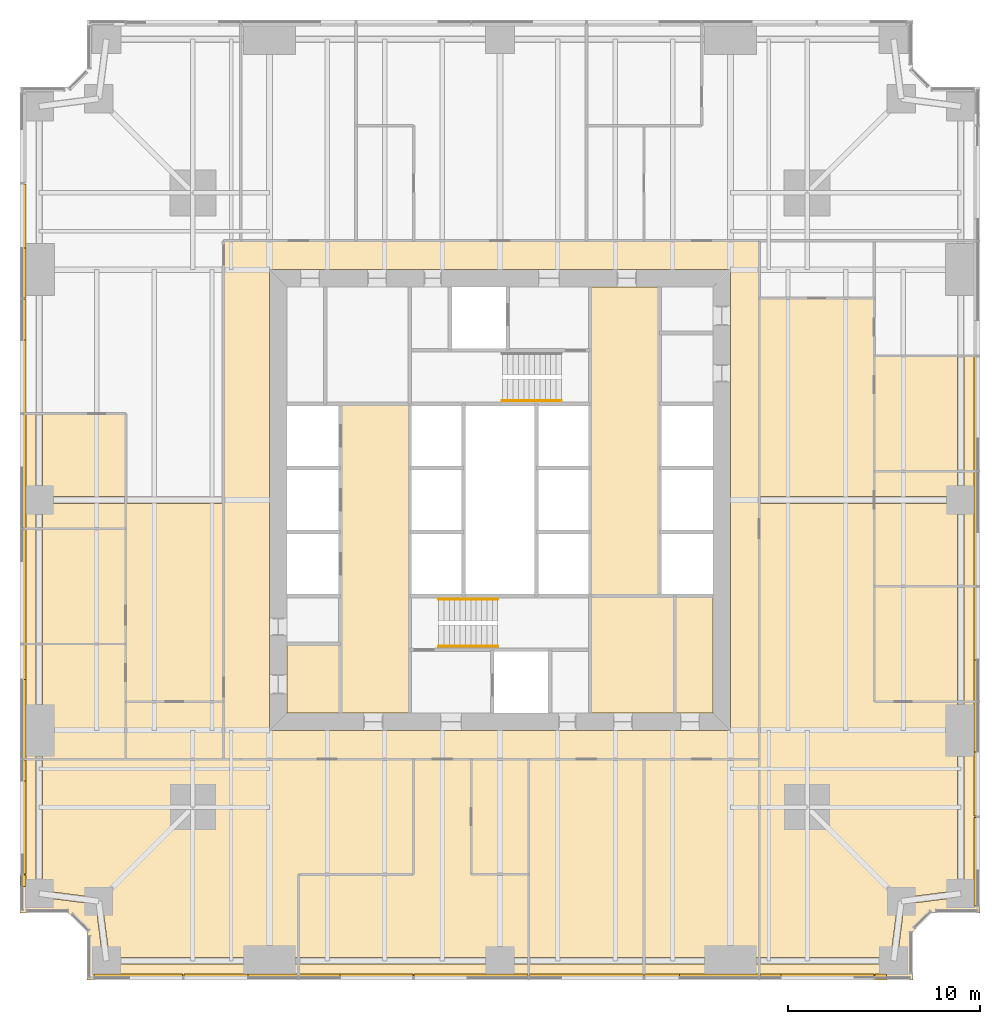
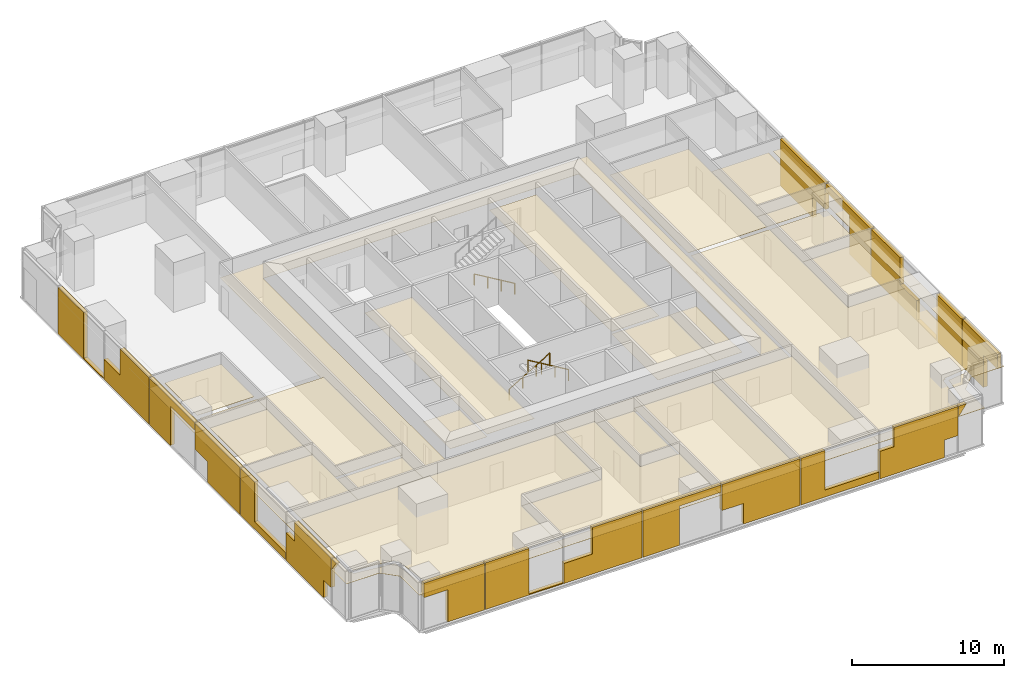
# One storey, part 13 of 14: 54 coverings, 3 railings.
"""IFC4 building model written with IfcOpenShell, lengths in metres."""

from ifc_helpers import new_model, si_unit, direction, frame, origin, origin_2d, place, context, subcontext, project, spatial, polyline, circle, outline, extrude, material, layer, layer_set, type_object, element, save


model = new_model("IFC4")

# Units and contexts
model_context = context("Model", 3, precision=1e-05, world=origin(), true_north=direction((0.0, 1.0)))
body_context = subcontext(model_context, "Body", "Model", "MODEL_VIEW")
ifc_project = project(units=[si_unit("LENGTHUNIT", "METRE"), si_unit("AREAUNIT", "SQUARE_METRE"), si_unit("VOLUMEUNIT", "CUBIC_METRE"), si_unit("PLANEANGLEUNIT", "RADIAN"), si_unit("MASSUNIT", "GRAM", prefix="KILO")], contexts=[model_context])

# Site, building, storey
site_placement = place(None, origin())
site = spatial("IfcSite", under=ifc_project, at=site_placement, CompositionType="ELEMENT")
building_placement = place(site_placement, origin())
building = spatial("IfcBuilding", under=site, at=building_placement, Name="Fenwick Lantern Interchange", CompositionType="ELEMENT")
storey_placement = place(building_placement, frame((0.0, 0.0, 35.0)))
storey = spatial("IfcBuildingStorey", under=building, at=storey_placement, Name="L07", CompositionType="ELEMENT", Elevation=35.0)

# Coverings
ifc_material_1 = material(Name="Mineral fibre acoustic tile on suspended grid")
ifc_layer_1 = layer(ifc_material_1, 0.02001953125)
ifc_layer_set_1 = layer_set([ifc_layer_1], Name="ACOUSTIC TILE CEILING 20")
covering_type_1 = type_object("IfcCoveringType", Name="ACOUSTIC TILE CEILING 20", PredefinedType="CEILING", material=ifc_layer_set_1)
covering_1_placement = place(storey_placement, frame((0.0, 0.0, 2.89990234375)))
element("IfcCovering", 1, at=covering_1_placement, inside=storey, type_object=covering_type_1, Name="Office suite ceiling", PredefinedType="CEILING", context=body_context, shape_type="SweptSolid", body=[
    extrude(outline(polyline([(20.5, 11.5), (1.17236328125, 11.5), (1.17236328125, 4.651611328125), (4.1220703125, 4.27099609375), (4.10009765625, 4.10009765625), (4.27099609375, 4.1220703125), (4.651611328125, 1.17236328125), (13.0, 1.17236328125), (14.5, 1.17236328125), (14.5, 5.5), (20.5, 5.5), (20.5, 11.5)])), origin(), (0.0, 0.0, 1.0), 0.02001953125),
])
covering_2_placement = place(storey_placement, frame((0.0, 0.0, 2.89990234375)))
element("IfcCovering", 2, at=covering_2_placement, inside=storey, type_object=covering_type_1, Name="Office suite ceiling", PredefinedType="CEILING", context=body_context, shape_type="SweptSolid", body=[
    extrude(outline(polyline([(2.5, 3.5), (3.5, 2.5), (3.5, 0.0), (14.5, 0.0), (14.5, 0.82763671875), (13.0, 0.82763671875), (4.5, 0.82763671875), (4.5, 1.0), (4.3291015625, 0.97802734375), (3.946044921875, 3.946044921875), (0.97802734375, 4.3291015625), (1.0, 4.5), (0.82763671875, 4.5), (0.82763671875, 11.5), (0.0, 11.5), (0.0, 3.5), (2.5, 3.5)])), origin(), (0.0, 0.0, 1.0), 0.02001953125),
])
covering_3_placement = place(storey_placement, frame((0.0, 0.0, 2.89990234375)))
element("IfcCovering", 3, at=covering_3_placement, inside=storey, type_object=covering_type_1, Name="Office suite ceiling", PredefinedType="CEILING", context=body_context, shape_type="SweptSolid", body=[
    extrude(outline(polyline([(14.5, 5.5), (14.5, 1.17236328125), (25.0, 1.17236328125), (26.5, 1.17236328125), (26.5, 5.5), (23.5, 5.5), (23.5, 11.5), (20.5, 11.5), (20.5, 5.5), (14.5, 5.5)])), origin(), (0.0, 0.0, 1.0), 0.02001953125),
])
covering_4_placement = place(storey_placement, frame((0.0, 0.0, 2.89990234375)))
element("IfcCovering", 4, at=covering_4_placement, inside=storey, type_object=covering_type_1, Name="Office suite ceiling", PredefinedType="CEILING", context=body_context, shape_type="SweptSolid", body=[
    extrude(outline(polyline([(14.5, 0.82763671875), (14.5, 0.0), (26.5, 0.0), (26.5, 0.82763671875), (25.0, 0.82763671875), (14.5, 0.82763671875)])), origin(), (0.0, 0.0, 1.0), 0.02001953125),
])
covering_5_placement = place(storey_placement, frame((0.0, 0.0, 2.699951171875)))
element("IfcCovering", 5, at=covering_5_placement, inside=storey, type_object=covering_type_1, Name="Quiet room ceiling", PredefinedType="CEILING", context=body_context, shape_type="SweptSolid", body=[
    extrude(outline(polyline([(23.5, 5.5), (26.5, 5.5), (26.5, 11.5), (23.5, 11.5), (23.5, 5.5)])), origin(), (0.0, 0.0, 1.0), 0.02001953125),
])
covering_6_placement = place(storey_placement, frame((0.0, 0.0, 2.89990234375)))
element("IfcCovering", 6, at=covering_6_placement, inside=storey, type_object=covering_type_1, Name="Office suite ceiling", PredefinedType="CEILING", context=body_context, shape_type="SweptSolid", body=[
    extrude(outline(polyline([(26.5, 11.5), (26.5, 1.17236328125), (32.5, 1.17236328125), (32.5, 11.5), (26.5, 11.5)])), origin(), (0.0, 0.0, 1.0), 0.02001953125),
])
covering_7_placement = place(storey_placement, frame((0.0, 0.0, 2.89990234375)))
element("IfcCovering", 7, at=covering_7_placement, inside=storey, type_object=covering_type_1, Name="Office suite ceiling", PredefinedType="CEILING", context=body_context, shape_type="SweptSolid", body=[
    extrude(outline(polyline([(26.5, 0.0), (32.5, 0.0), (32.5, 0.82763671875), (26.5, 0.82763671875), (26.5, 0.0)])), origin(), (0.0, 0.0, 1.0), 0.02001953125),
])
covering_8_placement = place(storey_placement, frame((0.0, 0.0, 2.89990234375)))
element("IfcCovering", 8, at=covering_8_placement, inside=storey, type_object=covering_type_1, Name="Office suite ceiling", PredefinedType="CEILING", context=body_context, shape_type="SweptSolid", body=[
    extrude(outline(polyline([(32.5, 11.5), (32.5, 1.17236328125), (37.0, 1.17236328125), (38.5, 1.17236328125), (38.5, 11.5), (32.5, 11.5)])), origin(), (0.0, 0.0, 1.0), 0.02001953125),
])
covering_9_placement = place(storey_placement, frame((0.0, 0.0, 2.89990234375)))
element("IfcCovering", 9, at=covering_9_placement, inside=storey, type_object=covering_type_1, Name="Office suite ceiling", PredefinedType="CEILING", context=body_context, shape_type="SweptSolid", body=[
    extrude(outline(polyline([(32.5, 0.0), (38.5, 0.0), (38.5, 0.82763671875), (37.0, 0.82763671875), (32.5, 0.82763671875), (32.5, 0.0)])), origin(), (0.0, 0.0, 1.0), 0.02001953125),
])
covering_10_placement = place(storey_placement, frame((0.0, 0.0, 2.89990234375)))
element("IfcCovering", 10, at=covering_10_placement, inside=storey, type_object=covering_type_1, Name="Office suite ceiling", PredefinedType="CEILING", context=body_context, shape_type="SweptSolid", body=[
    extrude(outline(polyline([(38.5, 24.824951171875), (38.5, 1.17236328125), (45.348388671875, 1.17236328125), (45.72900390625, 4.1220703125), (45.89990234375, 4.10009765625), (45.8779296875, 4.27099609375), (48.82763671875, 4.651611328125), (48.82763671875, 13.0), (48.82763671875, 14.5), (44.5, 14.5), (44.5, 24.824951171875), (38.5, 24.824951171875)])), origin(), (0.0, 0.0, 1.0), 0.02001953125),
])
covering_11_placement = place(storey_placement, frame((0.0, 0.0, 2.89990234375)))
element("IfcCovering", 11, at=covering_11_placement, inside=storey, type_object=covering_type_1, Name="Office suite ceiling", PredefinedType="CEILING", context=body_context, shape_type="SweptSolid", body=[
    extrude(outline(polyline([(38.5, 35.5), (38.5, 25.175048828125), (44.5, 25.175048828125), (44.5, 35.5), (38.5, 35.5)])), origin(), (0.0, 0.0, 1.0), 0.02001953125),
])
covering_12_placement = place(storey_placement, frame((0.0, 0.0, 2.89990234375)))
element("IfcCovering", 12, at=covering_12_placement, inside=storey, type_object=covering_type_1, Name="Office suite ceiling", PredefinedType="CEILING", context=body_context, shape_type="SweptSolid", body=[
    extrude(outline(polyline([(38.5, 0.0), (46.5, 0.0), (46.5, 2.5), (47.5, 3.5), (50.0, 3.5), (50.0, 14.5), (49.17236328125, 14.5), (49.17236328125, 13.0), (49.17236328125, 4.5), (49.0, 4.5), (49.02197265625, 4.3291015625), (46.053955078125, 3.946044921875), (45.6708984375, 0.97802734375), (45.5, 1.0), (45.5, 0.82763671875), (38.5, 0.82763671875), (38.5, 0.0)])), origin(), (0.0, 0.0, 1.0), 0.02001953125),
])
covering_13_placement = place(storey_placement, frame((0.0, 0.0, 2.89990234375)))
element("IfcCovering", 13, at=covering_13_placement, inside=storey, type_object=covering_type_1, Name="Office ceiling", PredefinedType="CEILING", context=body_context, shape_type="SweptSolid", body=[
    extrude(outline(polyline([(44.5, 14.5), (48.82763671875, 14.5), (48.82763671875, 20.5), (44.5, 20.5), (44.5, 14.5)])), origin(), (0.0, 0.0, 1.0), 0.02001953125),
])
covering_14_placement = place(storey_placement, frame((0.0, 0.0, 2.89990234375)))
element("IfcCovering", 14, at=covering_14_placement, inside=storey, type_object=covering_type_1, Name="Office ceiling", PredefinedType="CEILING", context=body_context, shape_type="SweptSolid", body=[
    extrude(outline(polyline([(50.0, 20.5), (49.17236328125, 20.5), (49.17236328125, 14.5), (50.0, 14.5), (50.0, 20.5)])), origin(), (0.0, 0.0, 1.0), 0.02001953125),
])
covering_15_placement = place(storey_placement, frame((0.0, 0.0, 2.89990234375)))
element("IfcCovering", 15, at=covering_15_placement, inside=storey, type_object=covering_type_1, Name="Office ceiling", PredefinedType="CEILING", context=body_context, shape_type="SweptSolid", body=[
    extrude(outline(polyline([(44.5, 20.5), (48.82763671875, 20.5), (48.82763671875, 24.824951171875), (44.5, 24.824951171875), (44.5, 20.5)])), origin(), (0.0, 0.0, 1.0), 0.02001953125),
])
covering_16_placement = place(storey_placement, frame((0.0, 0.0, 2.89990234375)))
element("IfcCovering", 16, at=covering_16_placement, inside=storey, type_object=covering_type_1, Name="Office ceiling", PredefinedType="CEILING", context=body_context, shape_type="SweptSolid", body=[
    extrude(outline(polyline([(44.5, 26.5), (44.5, 25.175048828125), (48.82763671875, 25.175048828125), (48.82763671875, 26.5), (44.5, 26.5)])), origin(), (0.0, 0.0, 1.0), 0.02001953125),
])
covering_17_placement = place(storey_placement, frame((0.0, 0.0, 2.89990234375)))
element("IfcCovering", 17, at=covering_17_placement, inside=storey, type_object=covering_type_1, Name="Office ceiling", PredefinedType="CEILING", context=body_context, shape_type="SweptSolid", body=[
    extrude(outline(polyline([(50.0, 26.5), (49.17236328125, 26.5), (49.17236328125, 25.0), (49.17236328125, 20.5), (50.0, 20.5), (50.0, 26.5)])), origin(), (0.0, 0.0, 1.0), 0.02001953125),
])
covering_18_placement = place(storey_placement, frame((0.0, 0.0, 2.89990234375)))
element("IfcCovering", 18, at=covering_18_placement, inside=storey, type_object=covering_type_1, Name="Office ceiling", PredefinedType="CEILING", context=body_context, shape_type="SweptSolid", body=[
    extrude(outline(polyline([(44.5, 26.5), (48.82763671875, 26.5), (48.82763671875, 32.5), (44.5, 32.5), (44.5, 26.5)])), origin(), (0.0, 0.0, 1.0), 0.02001953125),
])
covering_19_placement = place(storey_placement, frame((0.0, 0.0, 2.89990234375)))
element("IfcCovering", 19, at=covering_19_placement, inside=storey, type_object=covering_type_1, Name="Office ceiling", PredefinedType="CEILING", context=body_context, shape_type="SweptSolid", body=[
    extrude(outline(polyline([(50.0, 32.5), (49.17236328125, 32.5), (49.17236328125, 26.5), (50.0, 26.5), (50.0, 32.5)])), origin(), (0.0, 0.0, 1.0), 0.02001953125),
])
covering_20_placement = place(storey_placement, frame((0.0, 0.0, 2.89990234375)))
element("IfcCovering", 20, at=covering_20_placement, inside=storey, type_object=covering_type_1, Name="Office suite ceiling", PredefinedType="CEILING", context=body_context, shape_type="SweptSolid", body=[
    extrude(outline(polyline([(10.60009765625, 14.5), (10.60009765625, 24.824951171875), (5.5, 24.824951171875), (5.5, 14.5), (10.60009765625, 14.5)])), origin(), (0.0, 0.0, 1.0), 0.02001953125),
])
covering_21_placement = place(storey_placement, frame((0.0, 0.0, 2.89990234375)))
element("IfcCovering", 21, at=covering_21_placement, inside=storey, type_object=covering_type_1, Name="Office ceiling", PredefinedType="CEILING", context=body_context, shape_type="SweptSolid", body=[
    extrude(outline(polyline([(5.5, 29.5), (1.17236328125, 29.5), (1.17236328125, 25.175048828125), (5.5, 25.175048828125), (5.5, 29.5)])), origin(), (0.0, 0.0, 1.0), 0.02001953125),
])
covering_22_placement = place(storey_placement, frame((0.0, 0.0, 2.89990234375)))
element("IfcCovering", 22, at=covering_22_placement, inside=storey, type_object=covering_type_1, Name="Office ceiling", PredefinedType="CEILING", context=body_context, shape_type="SweptSolid", body=[
    extrude(outline(polyline([(5.5, 23.5), (5.5, 24.824951171875), (1.17236328125, 24.824951171875), (1.17236328125, 23.5), (5.5, 23.5)])), origin(), (0.0, 0.0, 1.0), 0.02001953125),
])
covering_23_placement = place(storey_placement, frame((0.0, 0.0, 2.89990234375)))
element("IfcCovering", 23, at=covering_23_placement, inside=storey, type_object=covering_type_1, Name="Office ceiling", PredefinedType="CEILING", context=body_context, shape_type="SweptSolid", body=[
    extrude(outline(polyline([(0.0, 23.5), (0.82763671875, 23.5), (0.82763671875, 25.0), (0.82763671875, 29.5), (0.0, 29.5), (0.0, 23.5)])), origin(), (0.0, 0.0, 1.0), 0.02001953125),
])
covering_24_placement = place(storey_placement, frame((0.0, 0.0, 2.89990234375)))
element("IfcCovering", 24, at=covering_24_placement, inside=storey, type_object=covering_type_1, Name="Meeting room ceiling", PredefinedType="CEILING", context=body_context, shape_type="SweptSolid", body=[
    extrude(outline(polyline([(5.5, 23.5), (1.17236328125, 23.5), (1.17236328125, 17.5), (5.5, 17.5), (5.5, 23.5)])), origin(), (0.0, 0.0, 1.0), 0.02001953125),
])
covering_25_placement = place(storey_placement, frame((0.0, 0.0, 2.89990234375)))
element("IfcCovering", 25, at=covering_25_placement, inside=storey, type_object=covering_type_1, Name="Meeting room ceiling", PredefinedType="CEILING", context=body_context, shape_type="SweptSolid", body=[
    extrude(outline(polyline([(0.0, 17.5), (0.82763671875, 17.5), (0.82763671875, 23.5), (0.0, 23.5), (0.0, 17.5)])), origin(), (0.0, 0.0, 1.0), 0.02001953125),
])
covering_26_placement = place(storey_placement, frame((0.0, 0.0, 2.89990234375)))
element("IfcCovering", 26, at=covering_26_placement, inside=storey, type_object=covering_type_1, Name="Office ceiling", PredefinedType="CEILING", context=body_context, shape_type="SweptSolid", body=[
    extrude(outline(polyline([(5.5, 17.5), (1.17236328125, 17.5), (1.17236328125, 13.0), (1.17236328125, 11.5), (5.5, 11.5), (5.5, 17.5)])), origin(), (0.0, 0.0, 1.0), 0.02001953125),
])
covering_27_placement = place(storey_placement, frame((0.0, 0.0, 2.89990234375)))
element("IfcCovering", 27, at=covering_27_placement, inside=storey, type_object=covering_type_1, Name="Office ceiling", PredefinedType="CEILING", context=body_context, shape_type="SweptSolid", body=[
    extrude(outline(polyline([(0.0, 11.5), (0.82763671875, 11.5), (0.82763671875, 13.0), (0.82763671875, 17.5), (0.0, 17.5), (0.0, 11.5)])), origin(), (0.0, 0.0, 1.0), 0.02001953125),
])
ifc_material_2 = material(Name="Granite cladding, warm grey flamed finish, on aluminium carrier frame", Category="masonry")
ifc_layer_2 = layer(ifc_material_2, 0.300048828125)
ifc_layer_set_2 = layer_set([ifc_layer_2], Name="BRACE CASING PANEL 300")
covering_type_2 = type_object("IfcCoveringType", Name="BRACE CASING PANEL 300", PredefinedType="CLADDING", material=ifc_layer_set_2)
covering_28_placement = place(storey_placement, frame((3.60009765625, 0.10009765625, 0.0), z_axis=(0.0, 0.0, 1.0), x_axis=(1.0, 0.0, 0.0)))
element("IfcCovering", 28, at=covering_28_placement, inside=storey, type_object=covering_type_2, Name="Brace casing 01 bay 00a", PredefinedType="CLADDING", context=body_context, shape_type="SweptSolid", body=[
    extrude(outline(polyline([(2.094970703125, 0.0), (4.867431640625, 0.0), (4.867431640625, 3.75), (0.264892578125, 3.75), (0.264892578125, 2.5869140625), (2.094970703125, 2.5869140625), (2.094970703125, 0.0)])), frame((0.0, 0.2001953125, 0.0), z_axis=(0.0, -1.0, 0.0), x_axis=(1.0, 0.0, 0.0)), (0.0, 0.0, 1.0), 0.300048828125),
])
covering_29_placement = place(storey_placement, frame((3.60009765625, 0.10009765625, 0.0), z_axis=(0.0, 0.0, 1.0), x_axis=(1.0, 0.0, 0.0)))
element("IfcCovering", 29, at=covering_29_placement, inside=storey, type_object=covering_type_2, Name="Brace casing 01 bay 01a", PredefinedType="CLADDING", context=body_context, shape_type="SweptSolid", body=[
    extrude(outline(polyline([(4.9326171875, 0.0), (10.867431640625, 0.0), (10.867431640625, 0.08056640625), (8.276611328125, 0.08056640625), (8.276611328125, 3.75), (4.9326171875, 3.75), (4.9326171875, 0.0)])), frame((0.0, 0.2001953125, 0.0), z_axis=(0.0, -1.0, 0.0), x_axis=(1.0, 0.0, 0.0)), (0.0, 0.0, 1.0), 0.300048828125),
])
covering_30_placement = place(storey_placement, frame((3.60009765625, 0.10009765625, 0.0), z_axis=(0.0, 0.0, 1.0), x_axis=(1.0, 0.0, 0.0)))
element("IfcCovering", 30, at=covering_30_placement, inside=storey, type_object=covering_type_2, Name="Brace casing 01 bay 02a", PredefinedType="CLADDING", context=body_context, shape_type="SweptSolid", body=[
    extrude(outline(polyline([(10.9326171875, 0.0), (16.867431640625, 0.0), (16.867431640625, 3.75), (13.077392578125, 3.75), (13.077392578125, 1.60595703125), (10.9326171875, 1.60595703125), (10.9326171875, 0.0)])), frame((0.0, 0.2001953125, 0.0), z_axis=(0.0, -1.0, 0.0), x_axis=(1.0, 0.0, 0.0)), (0.0, 0.0, 1.0), 0.300048828125),
])
covering_31_placement = place(storey_placement, frame((3.60009765625, 0.10009765625, 0.0), z_axis=(0.0, 0.0, 1.0), x_axis=(1.0, 0.0, 0.0)))
element("IfcCovering", 31, at=covering_31_placement, inside=storey, type_object=covering_type_2, Name="Brace casing 01 bay 03a", PredefinedType="CLADDING", context=body_context, shape_type="SweptSolid", body=[
    extrude(outline(polyline([(16.9326171875, 0.0), (19.71240234375, 0.0), (19.71240234375, 3.15625), (22.867431640625, 3.15625), (22.867431640625, 3.75), (16.9326171875, 3.75), (16.9326171875, 0.0)])), frame((0.0, 0.2001953125, 0.0), z_axis=(0.0, -1.0, 0.0), x_axis=(1.0, 0.0, 0.0)), (0.0, 0.0, 1.0), 0.300048828125),
])
covering_32_placement = place(storey_placement, frame((3.60009765625, 0.10009765625, 0.0), z_axis=(0.0, 0.0, 1.0), x_axis=(1.0, 0.0, 0.0)))
element("IfcCovering", 32, at=covering_32_placement, inside=storey, type_object=covering_type_2, Name="Brace casing 01 bay 04a", PredefinedType="CLADDING", context=body_context, shape_type="SweptSolid", body=[
    extrude(outline(polyline([(24.58740234375, 0.0), (28.867431640625, 0.0), (28.867431640625, 3.75), (22.9326171875, 3.75), (22.9326171875, 1.65380859375), (24.58740234375, 1.65380859375), (24.58740234375, 0.0)])), frame((0.0, 0.2001953125, 0.0), z_axis=(0.0, -1.0, 0.0), x_axis=(1.0, 0.0, 0.0)), (0.0, 0.0, 1.0), 0.300048828125),
])
covering_33_placement = place(storey_placement, frame((3.60009765625, 0.10009765625, 0.0), z_axis=(0.0, 0.0, 1.0), x_axis=(1.0, 0.0, 0.0)))
element("IfcCovering", 33, at=covering_33_placement, inside=storey, type_object=covering_type_2, Name="Brace casing 01 bay 05a", PredefinedType="CLADDING", context=body_context, shape_type="SweptSolid", body=[
    extrude(outline(polyline([(28.9326171875, 0.0), (34.867431640625, 0.0), (34.867431640625, 0.5693359375), (30.757568359375, 0.5693359375), (30.757568359375, 3.75), (28.9326171875, 3.75), (28.9326171875, 0.0)])), frame((0.0, 0.2001953125, 0.0), z_axis=(0.0, -1.0, 0.0), x_axis=(1.0, 0.0, 0.0)), (0.0, 0.0, 1.0), 0.300048828125),
])
covering_34_placement = place(storey_placement, frame((3.60009765625, 0.10009765625, 0.0), z_axis=(0.0, 0.0, 1.0), x_axis=(1.0, 0.0, 0.0)))
element("IfcCovering", 34, at=covering_34_placement, inside=storey, type_object=covering_type_2, Name="Brace casing 01 bay 06a", PredefinedType="CLADDING", context=body_context, shape_type="SweptSolid", body=[
    extrude(outline(polyline([(34.9326171875, 0.0), (39.87060546875, 0.0), (39.87060546875, 1.406982421875), (40.867431640625, 1.406982421875), (40.867431640625, 3.75), (36.027587890625, 3.75), (36.027587890625, 2.207763671875), (34.9326171875, 2.207763671875), (34.9326171875, 0.0)])), frame((0.0, 0.2001953125, 0.0), z_axis=(0.0, -1.0, 0.0), x_axis=(1.0, 0.0, 0.0)), (0.0, 0.0, 1.0), 0.300048828125),
])
covering_35_placement = place(storey_placement, frame((3.60009765625, 0.10009765625, 2.90869140625), z_axis=(0.0, 0.0, 1.0), x_axis=(1.0, 0.0, 0.0)))
element("IfcCovering", 35, at=covering_35_placement, inside=storey, type_object=covering_type_2, Name="Brace casing 01 bay 07a", PredefinedType="CLADDING", context=body_context, shape_type="SweptSolid", body=[
    extrude(outline(polyline([(40.9326171875, 0.0), (41.527587890625, 0.84130859375), (40.9326171875, 0.84130859375), (40.9326171875, 0.0)])), frame((0.0, 0.2001953125, 0.0), z_axis=(0.0, -1.0, 0.0), x_axis=(1.0, 0.0, 0.0)), (0.0, 0.0, 1.0), 0.300048828125),
])
covering_36_placement = place(storey_placement, frame((49.89990234375, 3.60009765625, 0.0), z_axis=(0.0, 0.0, 1.0), x_axis=(0.0, 1.0, 0.0)))
element("IfcCovering", 36, at=covering_36_placement, inside=storey, type_object=covering_type_2, Name="Brace casing 05 bay 00a", PredefinedType="CLADDING", context=body_context, shape_type="SweptSolid", body=[
    extrude(outline(polyline([(2.094970703125, 0.0), (4.867431640625, 0.0), (4.867431640625, 3.75), (0.264892578125, 3.75), (0.264892578125, 2.5869140625), (2.094970703125, 2.5869140625), (2.094970703125, 0.0)])), frame((0.0, 0.2001953125, 0.0), z_axis=(0.0, -1.0, 0.0), x_axis=(1.0, 0.0, 0.0)), (0.0, 0.0, 1.0), 0.300048828125),
])
covering_37_placement = place(storey_placement, frame((49.89990234375, 3.60009765625, 0.0), z_axis=(0.0, 0.0, 1.0), x_axis=(0.0, 1.0, 0.0)))
element("IfcCovering", 37, at=covering_37_placement, inside=storey, type_object=covering_type_2, Name="Brace casing 05 bay 01a", PredefinedType="CLADDING", context=body_context, shape_type="SweptSolid", body=[
    extrude(outline(polyline([(4.9326171875, 0.0), (10.867431640625, 0.0), (10.867431640625, 0.08056640625), (8.276611328125, 0.08056640625), (8.276611328125, 3.75), (4.9326171875, 3.75), (4.9326171875, 0.0)])), frame((0.0, 0.2001953125, 0.0), z_axis=(0.0, -1.0, 0.0), x_axis=(1.0, 0.0, 0.0)), (0.0, 0.0, 1.0), 0.300048828125),
])
covering_38_placement = place(storey_placement, frame((49.89990234375, 3.60009765625, 0.0), z_axis=(0.0, 0.0, 1.0), x_axis=(0.0, 1.0, 0.0)))
element("IfcCovering", 38, at=covering_38_placement, inside=storey, type_object=covering_type_2, Name="Brace casing 05 bay 02a", PredefinedType="CLADDING", context=body_context, shape_type="SweptSolid", body=[
    extrude(outline(polyline([(10.9326171875, 0.0), (16.867431640625, 0.0), (16.867431640625, 3.75), (13.077392578125, 3.75), (13.077392578125, 1.60595703125), (10.9326171875, 1.60595703125), (10.9326171875, 0.0)])), frame((0.0, 0.2001953125, 0.0), z_axis=(0.0, -1.0, 0.0), x_axis=(1.0, 0.0, 0.0)), (0.0, 0.0, 1.0), 0.300048828125),
])
covering_39_placement = place(storey_placement, frame((49.89990234375, 3.60009765625, 0.0), z_axis=(0.0, 0.0, 1.0), x_axis=(0.0, 1.0, 0.0)))
element("IfcCovering", 39, at=covering_39_placement, inside=storey, type_object=covering_type_2, Name="Brace casing 05 bay 03a", PredefinedType="CLADDING", context=body_context, shape_type="SweptSolid", body=[
    extrude(outline(polyline([(16.9326171875, 0.0), (19.71240234375, 0.0), (19.71240234375, 3.15625), (22.867431640625, 3.15625), (22.867431640625, 3.75), (16.9326171875, 3.75), (16.9326171875, 0.0)])), frame((0.0, 0.2001953125, 0.0), z_axis=(0.0, -1.0, 0.0), x_axis=(1.0, 0.0, 0.0)), (0.0, 0.0, 1.0), 0.300048828125),
])
covering_40_placement = place(storey_placement, frame((49.89990234375, 3.60009765625, 0.0), z_axis=(0.0, 0.0, 1.0), x_axis=(0.0, 1.0, 0.0)))
element("IfcCovering", 40, at=covering_40_placement, inside=storey, type_object=covering_type_2, Name="Brace casing 05 bay 04a", PredefinedType="CLADDING", context=body_context, shape_type="SweptSolid", body=[
    extrude(outline(polyline([(24.58740234375, 0.0), (28.867431640625, 0.0), (28.867431640625, 3.75), (22.9326171875, 3.75), (22.9326171875, 1.65380859375), (24.58740234375, 1.65380859375), (24.58740234375, 0.0)])), frame((0.0, 0.2001953125, 0.0), z_axis=(0.0, -1.0, 0.0), x_axis=(1.0, 0.0, 0.0)), (0.0, 0.0, 1.0), 0.300048828125),
])
covering_41_placement = place(storey_placement, frame((0.10009765625, 46.39990234375, 0.0), z_axis=(0.0, 0.0, 1.0), x_axis=(0.0, -1.0, 0.0)))
element("IfcCovering", 41, at=covering_41_placement, inside=storey, type_object=covering_type_2, Name="Brace casing 13 bay 01a", PredefinedType="CLADDING", context=body_context, shape_type="SweptSolid", body=[
    extrude(outline(polyline([(4.9326171875, 0.0), (10.867431640625, 0.0), (10.867431640625, 0.08056640625), (8.276611328125, 0.08056640625), (8.276611328125, 3.75), (4.9326171875, 3.75), (4.9326171875, 0.0)])), frame((0.0, 0.2001953125, 0.0), z_axis=(0.0, -1.0, 0.0), x_axis=(1.0, 0.0, 0.0)), (0.0, 0.0, 1.0), 0.300048828125),
])
covering_42_placement = place(storey_placement, frame((0.10009765625, 46.39990234375, 0.0), z_axis=(0.0, 0.0, 1.0), x_axis=(0.0, -1.0, 0.0)))
element("IfcCovering", 42, at=covering_42_placement, inside=storey, type_object=covering_type_2, Name="Brace casing 13 bay 02a", PredefinedType="CLADDING", context=body_context, shape_type="SweptSolid", body=[
    extrude(outline(polyline([(10.9326171875, 0.0), (16.867431640625, 0.0), (16.867431640625, 3.75), (13.077392578125, 3.75), (13.077392578125, 1.60595703125), (10.9326171875, 1.60595703125), (10.9326171875, 0.0)])), frame((0.0, 0.2001953125, 0.0), z_axis=(0.0, -1.0, 0.0), x_axis=(1.0, 0.0, 0.0)), (0.0, 0.0, 1.0), 0.300048828125),
])
covering_43_placement = place(storey_placement, frame((0.10009765625, 46.39990234375, 0.0), z_axis=(0.0, 0.0, 1.0), x_axis=(0.0, -1.0, 0.0)))
element("IfcCovering", 43, at=covering_43_placement, inside=storey, type_object=covering_type_2, Name="Brace casing 13 bay 03a", PredefinedType="CLADDING", context=body_context, shape_type="SweptSolid", body=[
    extrude(outline(polyline([(16.9326171875, 0.0), (19.71240234375, 0.0), (19.71240234375, 3.15625), (22.867431640625, 3.15625), (22.867431640625, 3.75), (16.9326171875, 3.75), (16.9326171875, 0.0)])), frame((0.0, 0.2001953125, 0.0), z_axis=(0.0, -1.0, 0.0), x_axis=(1.0, 0.0, 0.0)), (0.0, 0.0, 1.0), 0.300048828125),
])
covering_44_placement = place(storey_placement, frame((0.10009765625, 46.39990234375, 0.0), z_axis=(0.0, 0.0, 1.0), x_axis=(0.0, -1.0, 0.0)))
element("IfcCovering", 44, at=covering_44_placement, inside=storey, type_object=covering_type_2, Name="Brace casing 13 bay 04a", PredefinedType="CLADDING", context=body_context, shape_type="SweptSolid", body=[
    extrude(outline(polyline([(24.58740234375, 0.0), (28.867431640625, 0.0), (28.867431640625, 3.75), (22.9326171875, 3.75), (22.9326171875, 1.65380859375), (24.58740234375, 1.65380859375), (24.58740234375, 0.0)])), frame((0.0, 0.2001953125, 0.0), z_axis=(0.0, -1.0, 0.0), x_axis=(1.0, 0.0, 0.0)), (0.0, 0.0, 1.0), 0.300048828125),
])
covering_45_placement = place(storey_placement, frame((0.10009765625, 46.39990234375, 0.0), z_axis=(0.0, 0.0, 1.0), x_axis=(0.0, -1.0, 0.0)))
element("IfcCovering", 45, at=covering_45_placement, inside=storey, type_object=covering_type_2, Name="Brace casing 13 bay 05a", PredefinedType="CLADDING", context=body_context, shape_type="SweptSolid", body=[
    extrude(outline(polyline([(28.9326171875, 0.0), (34.867431640625, 0.0), (34.867431640625, 0.5693359375), (30.757568359375, 0.5693359375), (30.757568359375, 3.75), (28.9326171875, 3.75), (28.9326171875, 0.0)])), frame((0.0, 0.2001953125, 0.0), z_axis=(0.0, -1.0, 0.0), x_axis=(1.0, 0.0, 0.0)), (0.0, 0.0, 1.0), 0.300048828125),
])
covering_46_placement = place(storey_placement, frame((0.10009765625, 46.39990234375, 0.0), z_axis=(0.0, 0.0, 1.0), x_axis=(0.0, -1.0, 0.0)))
element("IfcCovering", 46, at=covering_46_placement, inside=storey, type_object=covering_type_2, Name="Brace casing 13 bay 06a", PredefinedType="CLADDING", context=body_context, shape_type="SweptSolid", body=[
    extrude(outline(polyline([(34.9326171875, 0.0), (39.87060546875, 0.0), (39.87060546875, 1.406982421875), (40.867431640625, 1.406982421875), (40.867431640625, 3.75), (36.027587890625, 3.75), (36.027587890625, 2.207763671875), (34.9326171875, 2.207763671875), (34.9326171875, 0.0)])), frame((0.0, 0.2001953125, 0.0), z_axis=(0.0, -1.0, 0.0), x_axis=(1.0, 0.0, 0.0)), (0.0, 0.0, 1.0), 0.300048828125),
])
covering_47_placement = place(storey_placement, frame((0.10009765625, 46.39990234375, 2.90869140625), z_axis=(0.0, 0.0, 1.0), x_axis=(0.0, -1.0, 0.0)))
element("IfcCovering", 47, at=covering_47_placement, inside=storey, type_object=covering_type_2, Name="Brace casing 13 bay 07a", PredefinedType="CLADDING", context=body_context, shape_type="SweptSolid", body=[
    extrude(outline(polyline([(40.9326171875, 0.0), (41.527587890625, 0.84130859375), (40.9326171875, 0.84130859375), (40.9326171875, 0.0)])), frame((0.0, 0.2001953125, 0.0), z_axis=(0.0, -1.0, 0.0), x_axis=(1.0, 0.0, 0.0)), (0.0, 0.0, 1.0), 0.300048828125),
])

# Railings
ifc_material_3 = material(Name="Stainless steel handrail", Category="steel")
railing_type = type_object("IfcRailingType", Name="HANDRAIL 900", PredefinedType="HANDRAIL", material=ifc_material_3)
railing_placement = place(storey_placement, frame((21.800048828125, 19.825927734375, 0.166748046875)))
element("IfcRailing", 48, at=railing_placement, inside=storey, type_object=railing_type, Name="L07/STAIR/ST1/HR1", PredefinedType="HANDRAIL", context=body_context, shape_type="SweptSolid", body=[
    extrude(circle(Radius=0.02392578125, at=origin_2d()), frame((0.0, 0.0, 0.8759765625), z_axis=(0.859290745958, 0.0, 0.51148745235), x_axis=(0.0, 1.0, 0.0)), (0.0, 0.0, 1.0), 3.584228515625),
    extrude(circle(Radius=0.02099609375, at=origin_2d()), origin(), (0.0, 0.0, 1.0), 0.851806640625),
    extrude(circle(Radius=0.02099609375, at=origin_2d()), frame((1.026611328125, 0.0, 0.611083984375)), (0.0, 0.0, 1.0), 0.851806640625),
    extrude(circle(Radius=0.02099609375, at=origin_2d()), frame((2.05322265625, 0.0, 1.22216796875)), (0.0, 0.0, 1.0), 0.851806640625),
    extrude(circle(Radius=0.02099609375, at=origin_2d()), frame((3.079833984375, 0.0, 1.833251953125)), (0.0, 0.0, 1.0), 0.851806640625),
])
for number, where, name in (
    (49, (24.8798828125, 17.3740234375, 2.166748046875), "L07/STAIR/ST1/HR2"),
    (50, (28.199951171875, 30.174072265625, 0.166748046875), "L07/STAIR/ST2/HR1"),
):
    element("IfcRailing", number, at=place(storey_placement, frame(where)), inside=storey, type_object=railing_type, Name=name, PredefinedType="HANDRAIL", context=body_context, shape_type="SweptSolid", body=[
        extrude(circle(Radius=0.02392578125, at=origin_2d()), frame((0.0, 0.0, 0.8759765625), z_axis=(-0.859290745958, 0.0, 0.51148745235), x_axis=(0.0, -1.0, 0.0)), (0.0, 0.0, 1.0), 3.584228515625),
        extrude(circle(Radius=0.02099609375, at=origin_2d()), origin(), (0.0, 0.0, 1.0), 0.851806640625),
        extrude(circle(Radius=0.02099609375, at=origin_2d()), frame((-1.026611328125, 0.0, 0.611083984375)), (0.0, 0.0, 1.0), 0.851806640625),
        extrude(circle(Radius=0.02099609375, at=origin_2d()), frame((-2.05322265625, 0.0, 1.22216796875)), (0.0, 0.0, 1.0), 0.851806640625),
        extrude(circle(Radius=0.02099609375, at=origin_2d()), frame((-3.079833984375, 0.0, 1.833251953125)), (0.0, 0.0, 1.0), 0.851806640625),
    ])

# Coverings
ifc_material_4 = material(Name="Moisture resistant gypsum board on suspended frame, painted")
ifc_layer_3 = layer(ifc_material_4, 0.014892578125)
ifc_layer_set_3 = layer_set([ifc_layer_3], Name="MOISTURE RESISTANT CEILING 15")
covering_type_3 = type_object("IfcCoveringType", Name="MOISTURE RESISTANT CEILING 15", PredefinedType="CEILING", material=ifc_layer_set_3)
covering_48_placement = place(storey_placement, frame((0.0, 0.0, 2.60009765625)))
element("IfcCovering", 51, at=covering_48_placement, inside=storey, type_object=covering_type_3, Name="Women's WC ceiling", PredefinedType="CEILING", context=body_context, shape_type="SweptSolid", body=[
    extrude(outline(polyline([(29.699951171875, 13.89990234375), (34.10009765625, 13.89990234375), (34.10009765625, 20.0), (29.699951171875, 20.0), (29.699951171875, 13.89990234375)])), origin(), (0.0, 0.0, 1.0), 0.014892578125),
])
covering_49_placement = place(storey_placement, frame((0.0, 0.0, 2.60009765625)))
element("IfcCovering", 52, at=covering_49_placement, inside=storey, type_object=covering_type_3, Name="Men's WC ceiling", PredefinedType="CEILING", context=body_context, shape_type="SweptSolid", body=[
    extrude(outline(polyline([(34.10009765625, 13.89990234375), (36.10009765625, 13.89990234375), (36.10009765625, 20.0), (34.10009765625, 20.0), (34.10009765625, 13.89990234375)])), origin(), (0.0, 0.0, 1.0), 0.014892578125),
])
covering_50_placement = place(storey_placement, frame((0.0, 0.0, 2.60009765625)))
element("IfcCovering", 53, at=covering_50_placement, inside=storey, type_object=covering_type_3, Name="Accessible WC and shower ceiling", PredefinedType="CEILING", context=body_context, shape_type="SweptSolid", body=[
    extrude(outline(polyline([(13.89990234375, 13.89990234375), (16.699951171875, 13.89990234375), (16.699951171875, 17.5), (13.89990234375, 17.5), (13.89990234375, 13.89990234375)])), origin(), (0.0, 0.0, 1.0), 0.014892578125),
])
covering_51_placement = place(storey_placement, frame((0.0, 0.0, 2.699951171875)))
element("IfcCovering", 54, at=covering_51_placement, inside=storey, type_object=covering_type_3, Name="Pantry ceiling", PredefinedType="CEILING", context=body_context, shape_type="SweptSolid", body=[
    extrude(outline(polyline([(5.5, 14.5), (5.5, 11.5), (10.60009765625, 11.5), (10.60009765625, 14.5), (5.5, 14.5)])), origin(), (0.0, 0.0, 1.0), 0.01513671875),
])
ifc_material_5 = material(Name="Gypsum plasterboard on suspended frame, painted")
ifc_layer_4 = layer(ifc_material_5, 0.014892578125)
ifc_layer_set_4 = layer_set([ifc_layer_4], Name="PLASTERBOARD CEILING 15")
covering_type_4 = type_object("IfcCoveringType", Name="PLASTERBOARD CEILING 15", PredefinedType="CEILING", material=ifc_layer_set_4)
covering_52_placement = place(storey_placement, frame((0.0, 0.0, 2.800048828125)))
element("IfcCovering", 55, at=covering_52_placement, inside=storey, type_object=covering_type_4, Name="Lift lobby ceiling", PredefinedType="CEILING", context=body_context, shape_type="SweptSolid", body=[
    extrude(outline(polyline([(16.699951171875, 13.89990234375), (20.300048828125, 13.89990234375), (20.300048828125, 30.0), (16.699951171875, 30.0), (16.699951171875, 13.89990234375)])), origin(), (0.0, 0.0, 1.0), 0.014892578125),
])
covering_53_placement = place(storey_placement, frame((0.0, 0.0, 2.800048828125)))
element("IfcCovering", 56, at=covering_53_placement, inside=storey, type_object=covering_type_4, Name="Lift lobby ceiling", PredefinedType="CEILING", context=body_context, shape_type="SweptSolid", body=[
    extrude(outline(polyline([(33.300048828125, 36.10009765625), (29.699951171875, 36.10009765625), (29.699951171875, 20.0), (33.300048828125, 20.0), (33.300048828125, 36.10009765625)])), origin(), (0.0, 0.0, 1.0), 0.014892578125),
])
covering_54_placement = place(storey_placement, frame((0.0, 0.0, 2.60009765625)))
element("IfcCovering", 57, at=covering_54_placement, inside=storey, type_object=covering_type_4, Name="Corridor ceiling", PredefinedType="CEILING", context=body_context, shape_type="SweptSolid", body=[
    extrude(outline(polyline([(10.60009765625, 11.5), (38.5, 11.5), (38.5, 38.5), (10.60009765625, 38.5), (10.60009765625, 11.5)]), holes=[polyline([(37.0, 37.0), (37.0, 13.0), (13.0, 13.0), (13.0, 37.0), (37.0, 37.0)])]), origin(), (0.0, 0.0, 1.0), 0.014892578125),
])

save(model, "model.ifc")
